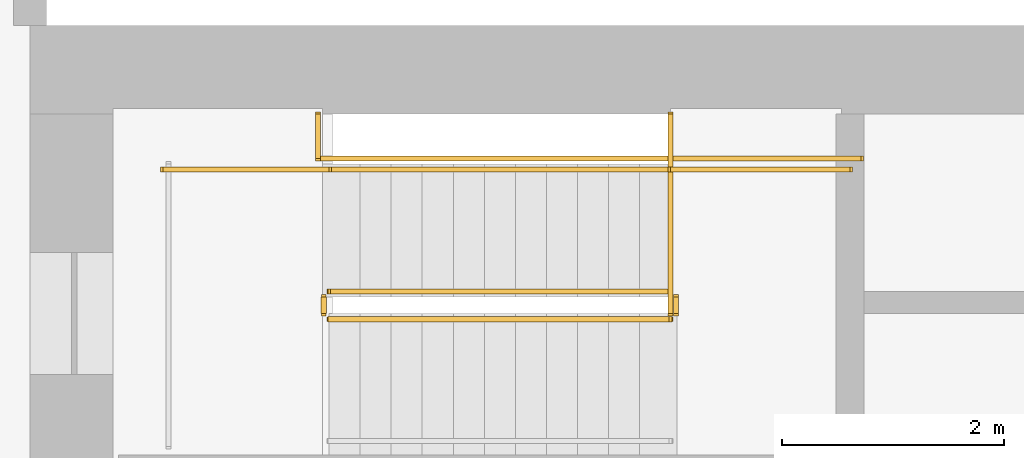
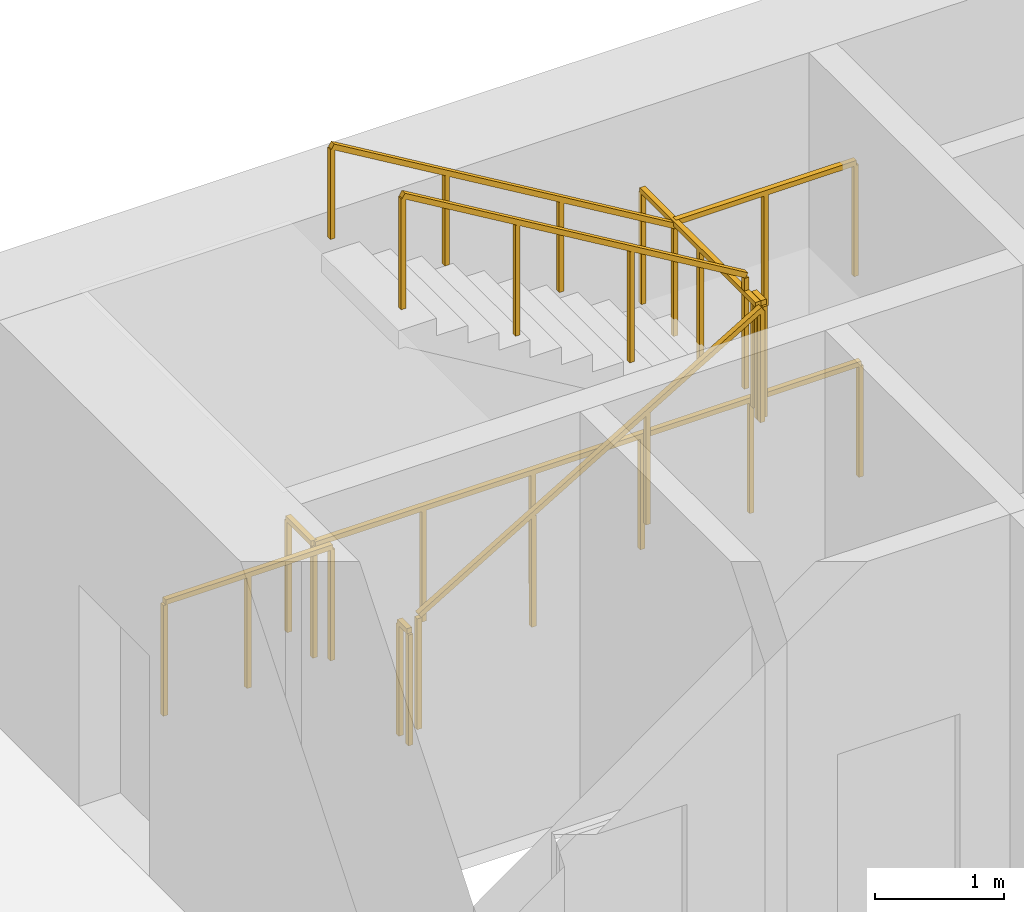
# One storey, part 12 of 12: 10 railings.
"""IFC4 building model written with IfcOpenShell, lengths in metres."""

from ifc_helpers import new_model, si_unit, direction, frame, origin, origin_2d, place, context, subcontext, project, spatial, rectangle, extrude, material, type_object, element, save


model = new_model("IFC4")

# Units and contexts
model_context = context("Model", 3, precision=1e-05, world=origin(), true_north=direction((0.0, 1.0)))
body_context = subcontext(model_context, "Body", "Model", "MODEL_VIEW")
ifc_project = project(units=[si_unit("LENGTHUNIT", "METRE"), si_unit("AREAUNIT", "SQUARE_METRE"), si_unit("VOLUMEUNIT", "CUBIC_METRE"), si_unit("PLANEANGLEUNIT", "RADIAN"), si_unit("MASSUNIT", "GRAM", prefix="KILO")], contexts=[model_context])

# Site, building, storey
site_placement = place(None, origin())
site = spatial("IfcSite", under=ifc_project, at=site_placement, CompositionType="ELEMENT")
building_placement = place(site_placement, origin())
building = spatial("IfcBuilding", under=site, at=building_placement, Name="Sennacour Bend Tower", CompositionType="ELEMENT")
storey_placement = place(building_placement, frame((0.0, 0.0, 281.0)))
storey = spatial("IfcBuildingStorey", under=building, at=storey_placement, Name="L65", CompositionType="ELEMENT", Elevation=281.0)

# Railings
ifc_material = material(Name="Stainless steel", Category="steel")
railing_type_1 = type_object("IfcRailingType", Name="RL-GUARD-1100", PredefinedType="GUARDRAIL", material=ifc_material)
railing_1_placement = place(storey_placement, frame((56.699951171875, 19.85009765625, 0.166748046875)))
element("IfcRailing", 1, at=railing_1_placement, inside=storey, type_object=railing_type_1, Name="L65 SA2 stair guard 1", PredefinedType="GUARDRAIL", context=body_context, shape_type="SweptSolid", body=[
    extrude(rectangle(XDim=0.048095703125, YDim=0.048095703125, at=origin_2d()), frame((0.0, 0.0, 1.076171875), z_axis=(0.859308565015, 0.0, 0.511457515432), x_axis=(0.0, 1.0, 0.0)), (0.0, 0.0, 1.0), 3.58447265625),
    extrude(rectangle(XDim=0.0419921875, YDim=0.0419921875, at=origin_2d()), origin(), (0.0, 0.0, 1.0), 1.052001953125),
    extrude(rectangle(XDim=0.0419921875, YDim=0.0419921875, at=origin_2d()), frame((1.026611328125, 0.0, 0.611083984375)), (0.0, 0.0, 1.0), 1.052001953125),
    extrude(rectangle(XDim=0.0419921875, YDim=0.0419921875, at=origin_2d()), frame((2.053466796875, 0.0, 1.22216796875)), (0.0, 0.0, 1.0), 1.052001953125),
    extrude(rectangle(XDim=0.0419921875, YDim=0.0419921875, at=origin_2d()), frame((3.080078125, 0.0, 1.833251953125)), (0.0, 0.0, 1.0), 1.052001953125),
])
railing_2_placement = place(storey_placement, frame((59.830078125, 19.89990234375, 2.0)))
element("IfcRailing", 2, at=railing_2_placement, inside=storey, type_object=railing_type_1, Name="L65 SA2 stair guard 2", PredefinedType="GUARDRAIL", context=body_context, shape_type="SweptSolid", body=[
    extrude(rectangle(XDim=0.048095703125, YDim=0.048095703125, at=origin_2d()), frame((0.0, 0.0, 1.076171875), z_axis=(0.0, 1.0, 0.0), x_axis=(-1.0, 0.0, 0.0)), (0.0, 0.0, 1.0), 0.150146484375),
    extrude(rectangle(XDim=0.0419921875, YDim=0.0419921875, at=origin_2d()), origin(), (0.0, 0.0, 1.0), 1.052001953125),
    extrude(rectangle(XDim=0.0419921875, YDim=0.0419921875, at=origin_2d()), frame((0.0, 0.150146484375, 0.0)), (0.0, 0.0, 1.0), 1.052001953125),
])
railing_3_placement = place(storey_placement, frame((59.780029296875, 21.199951171875, 2.0)))
element("IfcRailing", 3, at=railing_3_placement, inside=storey, type_object=railing_type_1, Name="L65 SA2 stair guard 3", PredefinedType="GUARDRAIL", context=body_context, shape_type="SweptSolid", body=[
    extrude(rectangle(XDim=0.048095703125, YDim=0.048095703125, at=origin_2d()), frame((0.0, 0.0, 1.076171875), z_axis=(1.0, 0.0, 0.0), x_axis=(0.0, 1.0, 0.0)), (0.0, 0.0, 1.0), 1.619873046875),
    extrude(rectangle(XDim=0.0419921875, YDim=0.0419921875, at=origin_2d()), origin(), (0.0, 0.0, 1.0), 1.052001953125),
    extrude(rectangle(XDim=0.0419921875, YDim=0.0419921875, at=origin_2d()), frame((0.81005859375, 0.0, 0.0)), (0.0, 0.0, 1.0), 1.052001953125),
    extrude(rectangle(XDim=0.0419921875, YDim=0.0419921875, at=origin_2d()), frame((1.619873046875, 0.0, 0.0)), (0.0, 0.0, 1.0), 1.052001953125),
])
railing_4_placement = place(storey_placement, frame((59.780029296875, 20.10009765625, 2.166748046875)))
element("IfcRailing", 4, at=railing_4_placement, inside=storey, type_object=railing_type_1, Name="L65 SA2 stair guard 4", PredefinedType="GUARDRAIL", context=body_context, shape_type="SweptSolid", body=[
    extrude(rectangle(XDim=0.048095703125, YDim=0.048095703125, at=origin_2d()), frame((0.0, 0.0, 1.076171875), z_axis=(-0.859308565015, 0.0, 0.511457515432), x_axis=(0.0, -1.0, 0.0)), (0.0, 0.0, 1.0), 3.58447265625),
    extrude(rectangle(XDim=0.0419921875, YDim=0.0419921875, at=origin_2d()), origin(), (0.0, 0.0, 1.0), 1.052001953125),
    extrude(rectangle(XDim=0.0419921875, YDim=0.0419921875, at=origin_2d()), frame((-1.026611328125, 0.0, 0.611083984375)), (0.0, 0.0, 1.0), 1.052001953125),
    extrude(rectangle(XDim=0.0419921875, YDim=0.0419921875, at=origin_2d()), frame((-2.053466796875, 0.0, 1.22216796875)), (0.0, 0.0, 1.0), 1.052001953125),
    extrude(rectangle(XDim=0.0419921875, YDim=0.0419921875, at=origin_2d()), frame((-3.080078125, 0.0, 1.833251953125)), (0.0, 0.0, 1.0), 1.052001953125),
])
railing_5_placement = place(storey_placement, frame((56.64990234375, 19.89990234375, 0.0)))
element("IfcRailing", 5, at=railing_5_placement, inside=storey, type_object=railing_type_1, Name="L65 SA2 stair guard 5", PredefinedType="GUARDRAIL", context=body_context, shape_type="SweptSolid", body=[
    extrude(rectangle(XDim=0.048095703125, YDim=0.048095703125, at=origin_2d()), frame((0.0, 0.0, 1.076171875), z_axis=(0.0, 1.0, 0.0), x_axis=(-1.0, 0.0, 0.0)), (0.0, 0.0, 1.0), 0.150146484375),
    extrude(rectangle(XDim=0.0419921875, YDim=0.0419921875, at=origin_2d()), origin(), (0.0, 0.0, 1.0), 1.052001953125),
    extrude(rectangle(XDim=0.0419921875, YDim=0.0419921875, at=origin_2d()), frame((0.0, 0.150146484375, 0.0)), (0.0, 0.0, 1.0), 1.052001953125),
])
railing_6_placement = place(storey_placement, frame((55.199951171875, 21.199951171875, 0.0)))
element("IfcRailing", 6, at=railing_6_placement, inside=storey, type_object=railing_type_1, Name="L65 SA2 stair guard 6", PredefinedType="GUARDRAIL", context=body_context, shape_type="SweptSolid", body=[
    extrude(rectangle(XDim=0.048095703125, YDim=0.048095703125, at=origin_2d()), frame((0.0, 0.0, 1.076171875), z_axis=(1.0, 0.0, 0.0), x_axis=(0.0, 1.0, 0.0)), (0.0, 0.0, 1.0), 1.5),
    extrude(rectangle(XDim=0.0419921875, YDim=0.0419921875, at=origin_2d()), origin(), (0.0, 0.0, 1.0), 1.052001953125),
    extrude(rectangle(XDim=0.0419921875, YDim=0.0419921875, at=origin_2d()), frame((0.75, 0.0, 0.0)), (0.0, 0.0, 1.0), 1.052001953125),
    extrude(rectangle(XDim=0.0419921875, YDim=0.0419921875, at=origin_2d()), frame((1.5, 0.0, 0.0)), (0.0, 0.0, 1.0), 1.052001953125),
])
railing_7_placement = place(storey_placement, frame((56.60009765625, 21.300048828125, 0.0)))
element("IfcRailing", 7, at=railing_7_placement, inside=storey, type_object=railing_type_1, Name="L65 SA2 stair guard 8", PredefinedType="GUARDRAIL", context=body_context, shape_type="SweptSolid", body=[
    extrude(rectangle(XDim=0.048095703125, YDim=0.048095703125, at=origin_2d()), frame((0.0, 0.0, 1.076171875), z_axis=(1.0, 0.0, 0.0), x_axis=(0.0, 1.0, 0.0)), (0.0, 0.0, 1.0), 4.89990234375),
    extrude(rectangle(XDim=0.0419921875, YDim=0.0419921875, at=origin_2d()), origin(), (0.0, 0.0, 1.0), 1.052001953125),
    extrude(rectangle(XDim=0.0419921875, YDim=0.0419921875, at=origin_2d()), frame((0.97998046875, 0.0, 0.0)), (0.0, 0.0, 1.0), 1.052001953125),
    extrude(rectangle(XDim=0.0419921875, YDim=0.0419921875, at=origin_2d()), frame((1.9599609375, 0.0, 0.0)), (0.0, 0.0, 1.0), 1.052001953125),
    extrude(rectangle(XDim=0.0419921875, YDim=0.0419921875, at=origin_2d()), frame((2.93994140625, 0.0, 0.0)), (0.0, 0.0, 1.0), 1.052001953125),
    extrude(rectangle(XDim=0.0419921875, YDim=0.0419921875, at=origin_2d()), frame((3.919921875, 0.0, 0.0)), (0.0, 0.0, 1.0), 1.052001953125),
    extrude(rectangle(XDim=0.0419921875, YDim=0.0419921875, at=origin_2d()), frame((4.89990234375, 0.0, 0.0)), (0.0, 0.0, 1.0), 1.052001953125),
])
railing_8_placement = place(storey_placement, frame((59.780029296875, 19.89990234375, 2.0)))
element("IfcRailing", 8, at=railing_8_placement, inside=storey, type_object=railing_type_1, Name="L65 SA2 landing edge guard 85", PredefinedType="GUARDRAIL", context=body_context, shape_type="SweptSolid", body=[
    extrude(rectangle(XDim=0.048095703125, YDim=0.048095703125, at=origin_2d()), frame((0.0, 0.0, 1.076171875), z_axis=(0.0, 1.0, 0.0), x_axis=(-1.0, 0.0, 0.0)), (0.0, 0.0, 1.0), 1.800048828125),
    extrude(rectangle(XDim=0.0419921875, YDim=0.0419921875, at=origin_2d()), origin(), (0.0, 0.0, 1.0), 1.052001953125),
    extrude(rectangle(XDim=0.0419921875, YDim=0.0419921875, at=origin_2d()), frame((0.0, 0.89990234375, 0.0)), (0.0, 0.0, 1.0), 1.052001953125),
    extrude(rectangle(XDim=0.0419921875, YDim=0.0419921875, at=origin_2d()), frame((0.0, 1.800048828125, 0.0)), (0.0, 0.0, 1.0), 1.052001953125),
])
railing_9_placement = place(storey_placement, frame((56.60009765625, 21.300048828125, 0.0)))
element("IfcRailing", 9, at=railing_9_placement, inside=storey, type_object=railing_type_1, Name="L65 SA2 landing edge guard 119", PredefinedType="GUARDRAIL", context=body_context, shape_type="SweptSolid", body=[
    extrude(rectangle(XDim=0.048095703125, YDim=0.048095703125, at=origin_2d()), frame((0.0, 0.0, 1.076171875), z_axis=(0.0, 1.0, 0.0), x_axis=(-1.0, 0.0, 0.0)), (0.0, 0.0, 1.0), 0.39990234375),
    extrude(rectangle(XDim=0.0419921875, YDim=0.0419921875, at=origin_2d()), origin(), (0.0, 0.0, 1.0), 1.052001953125),
    extrude(rectangle(XDim=0.0419921875, YDim=0.0419921875, at=origin_2d()), frame((0.0, 0.39990234375, 0.0)), (0.0, 0.0, 1.0), 1.052001953125),
])
railing_type_2 = type_object("IfcRailingType", Name="RL-HANDRAIL-900", PredefinedType="HANDRAIL", material=ifc_material)
railing_10_placement = place(storey_placement, frame((59.780029296875, 21.199951171875, 2.166748046875)))
element("IfcRailing", 10, at=railing_10_placement, inside=storey, type_object=railing_type_2, Name="L65 SA2 stair handrail 2", PredefinedType="HANDRAIL", context=body_context, shape_type="SweptSolid", body=[
    extrude(rectangle(XDim=0.048095703125, YDim=0.048095703125, at=origin_2d()), frame((0.0, 0.0, 0.8759765625), z_axis=(-0.859308565015, 0.0, 0.511457515432), x_axis=(0.0, -1.0, 0.0)), (0.0, 0.0, 1.0), 3.58447265625),
    extrude(rectangle(XDim=0.0419921875, YDim=0.0419921875, at=origin_2d()), origin(), (0.0, 0.0, 1.0), 0.851806640625),
    extrude(rectangle(XDim=0.0419921875, YDim=0.0419921875, at=origin_2d()), frame((-1.026611328125, 0.0, 0.611083984375)), (0.0, 0.0, 1.0), 0.851806640625),
    extrude(rectangle(XDim=0.0419921875, YDim=0.0419921875, at=origin_2d()), frame((-2.053466796875, 0.0, 1.22216796875)), (0.0, 0.0, 1.0), 0.851806640625),
    extrude(rectangle(XDim=0.0419921875, YDim=0.0419921875, at=origin_2d()), frame((-3.080078125, 0.0, 1.833251953125)), (0.0, 0.0, 1.0), 0.851806640625),
])

save(model, "model.ifc")
